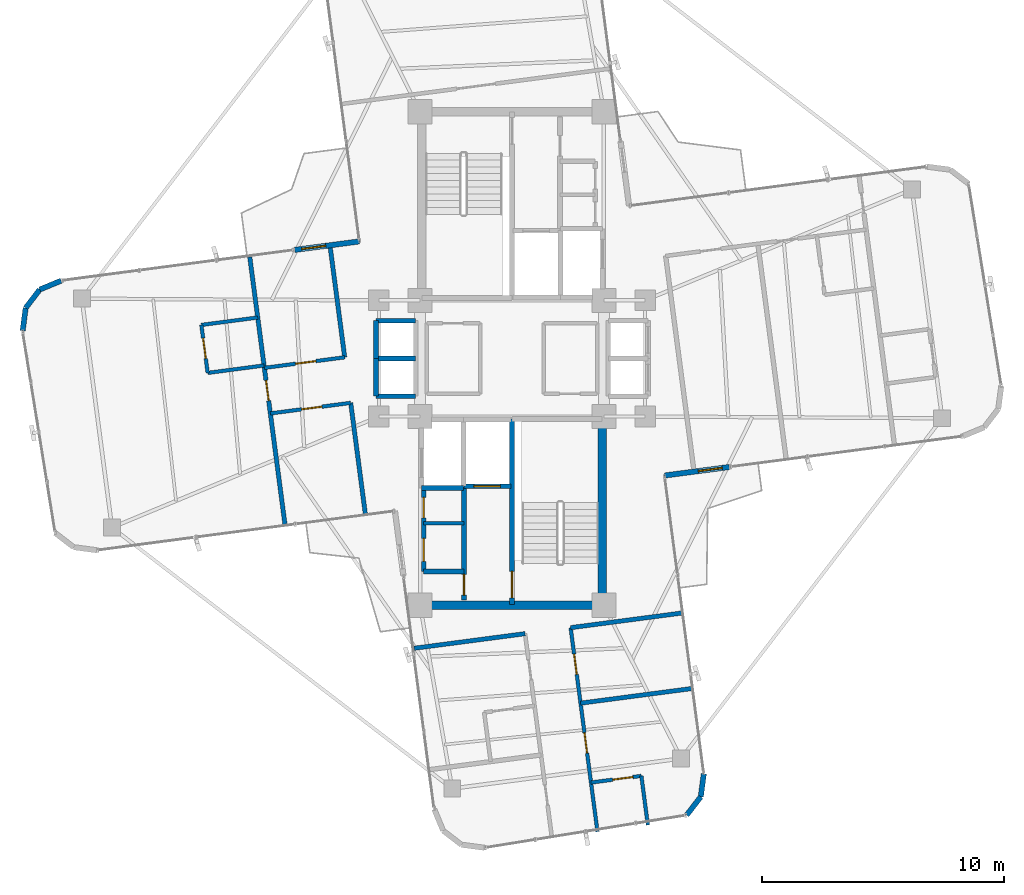
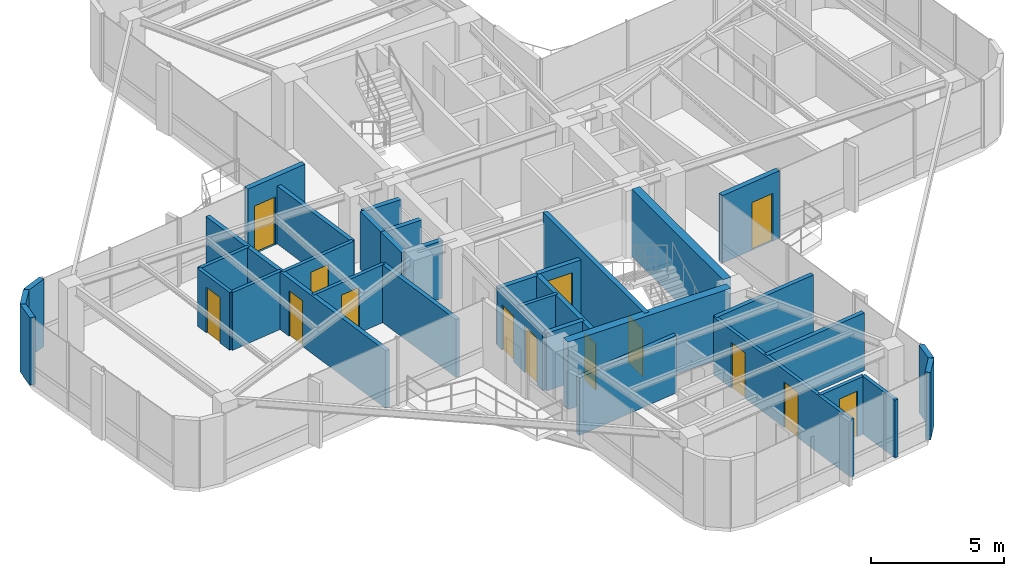
# One storey, part 19 of 22: 35 walls, 14 doors, 14 openings.
"""IFC4 building model written with IfcOpenShell, lengths in metres."""

from ifc_helpers import new_model, si_unit, direction, frame, frame_2d, origin, origin_2d, place, context, subcontext, project, spatial, rectangle, extrude, source, transform, mapped, material, layer, layer_set, type_object, element, fill, save


model = new_model("IFC4")

# Units and contexts
model_context = context("Model", 3, precision=1e-05, world=origin(), true_north=direction((0.0, 1.0)))
body_context = subcontext(model_context, "Body", "Model", "MODEL_VIEW")
ifc_project = project(units=[si_unit("LENGTHUNIT", "METRE"), si_unit("AREAUNIT", "SQUARE_METRE"), si_unit("VOLUMEUNIT", "CUBIC_METRE"), si_unit("PLANEANGLEUNIT", "RADIAN"), si_unit("MASSUNIT", "GRAM", prefix="KILO")], contexts=[model_context])

# Site, building, storey
site_placement = place(None, origin())
site = spatial("IfcSite", under=ifc_project, at=site_placement, CompositionType="ELEMENT")
building_placement = place(site_placement, origin())
building = spatial("IfcBuilding", under=site, at=building_placement, Name="Sahyath Konkavel Grand Hotel", CompositionType="ELEMENT")
storey_placement = place(building_placement, frame((0.0, 0.0, 241.14990234375)))
storey = spatial("IfcBuildingStorey", under=building, at=storey_placement, Name="L67", CompositionType="ELEMENT", Elevation=241.14990234375)

# Walls
ifc_material_1 = material(Name="Concrete C40/50", Category="concrete")
ifc_layer_1 = layer(ifc_material_1, 0.35009765625)
ifc_layer_set_1 = layer_set([ifc_layer_1], Name="Concrete C40/50")
wall_type_1 = type_object("IfcWallType", Name="CWALL-350", PredefinedType="SHEAR", material=ifc_layer_set_1)
wall_1_placement = place(storey_placement, frame((-3.550048828125, -10.199951171875, 0.0), z_axis=(0.0, 0.0, 1.0), x_axis=(1.0, 0.0, 0.0)))
element("IfcWall", 1, at=wall_1_placement, inside=storey, type_object=wall_type_1, Name="L67 South Core Shear Wall S", PredefinedType="SHEAR", context=body_context, shape_type="SweptSolid", body=[
    extrude(rectangle(XDim=7.10009765625, YDim=0.35009765625, at=frame_2d((3.550048828125, 0.0))), origin(), (0.0, 0.0, 1.0), 3.110107421875),
])
wall_2_placement = place(storey_placement, frame((3.739990234375, -9.75, 0.0), z_axis=(0.0, 0.0, 1.0), x_axis=(0.0, 1.0, 0.0)))
element("IfcWall", 2, at=wall_2_placement, inside=storey, type_object=wall_type_1, Name="L67 South Core Shear Wall E", PredefinedType="SHEAR", context=body_context, shape_type="SweptSolid", body=[
    extrude(rectangle(XDim=6.89990234375, YDim=0.35009765625, at=frame_2d((3.449951171875, 0.0))), origin(), (0.0, 0.0, 1.0), 3.110107421875),
])

# Wall, opening, door
ifc_material_2 = material(Name="Warm Buff Sandstone Insulated Concrete C40/50", Category="masonry")
ifc_layer_2 = layer(ifc_material_2, 0.219970703125)
ifc_layer_set_2 = layer_set([ifc_layer_2], Name="Warm Buff Sandstone Insulated Concrete C40/50")
wall_type_2 = type_object("IfcWallType", Name="WLL-BALC-THRESH", PredefinedType="STANDARD", material=ifc_layer_set_2)
wall_3_placement = place(storey_placement, frame((6.306640625, -4.839111328125, 0.0), z_axis=(0.0, 0.0, 1.0), x_axis=(0.991449985986, 0.130487261016, 0.0)))
wall_3 = element("IfcWall", 3, at=wall_3_placement, inside=storey, type_object=wall_type_2, Name="L67 Winter-Garden Threshold Wall 0", PredefinedType="STANDARD", context=body_context, shape_type="SweptSolid", body=[
    extrude(rectangle(XDim=2.699951171875, YDim=0.219970703125, at=frame_2d((1.35009765625, 0.0))), origin(), (0.0, 0.0, 1.0), 3.110107421875),
])
opening_1_placement = place(wall_3_placement, frame((1.39990234375, 0.0, 0.0)))
opening_1 = element("IfcOpeningElement", 4, at=opening_1_placement, cuts=wall_3, Name="Opening D-TR1", PredefinedType="OPENING", context=body_context, shape_type="SweptSolid", body=[
    extrude(rectangle(XDim=1.0, YDim=2.199951171875, at=frame_2d((0.5, 1.10009765625))), frame((0.0, 0.1201171875, 0.0), z_axis=(0.0, -1.0, 0.0), x_axis=(1.0, 0.0, 0.0)), (0.0, 0.0, 1.0), 0.239990234375),
])
ifc_material_3 = material(Name="Anodised Bronze Aluminium & Low-E Glazing", Category="aluminium")
door_type_1 = type_object("IfcDoorType", Name="DR-TERRACE-1000", OperationType="NOTDEFINED", PredefinedType="DOOR", material=ifc_material_3)
shared_shape_1 = source(origin(), body_context, "Body", "SweptSolid", [
    extrude(rectangle(XDim=1.0, YDim=0.050048828125, at=origin_2d()), origin(), (0.0, 0.0, 1.0), 2.199951171875),
])
door_1_placement = place(opening_1_placement, frame((0.5, 0.0, 0.0)))
door_1 = element("IfcDoor", 5, at=door_1_placement, inside=storey, type_object=door_type_1, Name="L67 Winter-Garden Terrace Door 0", OperationType="SINGLE_SWING_LEFT", OverallHeight=2.199951171875, OverallWidth=1.0, PredefinedType="DOOR", context=body_context, shape_type="MappedRepresentation", body=[
    mapped(shared_shape_1, transform((0.0, 0.0, 0.0), scale=1.0)),
])
fill(opening_1, door_1)

wall_4_placement = place(storey_placement, frame((-6.306640625, 4.839111328125, 0.0), z_axis=(0.0, 0.0, 1.0), x_axis=(-0.991449985986, -0.130487261016, 0.0)))
wall_4 = element("IfcWall", 6, at=wall_4_placement, inside=storey, type_object=wall_type_2, Name="L67 Winter-Garden Threshold Wall 16", PredefinedType="STANDARD", context=body_context, shape_type="SweptSolid", body=[
    extrude(rectangle(XDim=2.699951171875, YDim=0.219970703125, at=frame_2d((1.35009765625, 0.0))), origin(), (0.0, 0.0, 1.0), 3.110107421875),
])
opening_2_placement = place(wall_4_placement, frame((1.39990234375, 0.0, 0.0)))
opening_2 = element("IfcOpeningElement", 7, at=opening_2_placement, cuts=wall_4, Name="Opening D-TR1", PredefinedType="OPENING", context=body_context, shape_type="SweptSolid", body=[
    extrude(rectangle(XDim=1.0, YDim=2.199951171875, at=frame_2d((0.5, 1.10009765625))), frame((0.0, 0.1201171875, 0.0), z_axis=(0.0, -1.0, 0.0), x_axis=(1.0, 0.0, 0.0)), (0.0, 0.0, 1.0), 0.239990234375),
])
door_2_placement = place(opening_2_placement, frame((0.5, 0.0, 0.0)))
door_2 = element("IfcDoor", 8, at=door_2_placement, inside=storey, type_object=door_type_1, Name="L67 Winter-Garden Terrace Door 16", OperationType="SINGLE_SWING_LEFT", OverallHeight=2.199951171875, OverallWidth=1.0, PredefinedType="DOOR", context=body_context, shape_type="MappedRepresentation", body=[
    mapped(shared_shape_1, transform((0.0, 0.0, 0.0), scale=1.0)),
])
fill(opening_2, door_2)

# Walls
for number, where, z_axis, x_axis, name in (
    (9, (-18.63623046875, 3.216064453125, 0.0), (0.0, 0.0, 1.0), (-0.923889442397, -0.382659506909, 0.0), "L67 Rounded Corner Sandstone Pier 17"),
    (10, (-19.52099609375, 2.849609375, 0.0), (0.0, 0.0, 1.0), (-0.608774010809, -0.793343685778, 0.0), "L67 Rounded Corner Sandstone Pier 18"),
    (11, (-20.10400390625, 2.08984375, 0.0), (0.0, 0.0, 1.0), (-0.130527053476, -0.991444747987, 0.0), "L67 Rounded Corner Sandstone Pier 19"),
):
    element("IfcWall", number, at=place(storey_placement, frame(where, z_axis=z_axis, x_axis=x_axis)), inside=storey, type_object=wall_type_2, Name=name, PredefinedType="STANDARD", context=body_context, shape_type="SweptSolid", body=[
        extrude(rectangle(XDim=0.957763671875, YDim=0.219970703125, at=frame_2d((0.47900390625, 0.0))), origin(), (0.0, 0.0, 1.0), 3.110107421875),
    ])
wall_5_placement = place(storey_placement, frame((7.221923828125, -18.8779296875, 0.0), z_axis=(0.0, 0.0, 1.0), x_axis=(0.608736668033, 0.793372339443, 0.0)))
element("IfcWall", 12, at=wall_5_placement, inside=storey, type_object=wall_type_2, Name="L67 Rounded Corner Sandstone Pier 29", PredefinedType="STANDARD", context=body_context, shape_type="SweptSolid", body=[
    extrude(rectangle(XDim=0.957275390625, YDim=0.219970703125, at=frame_2d((0.478515625, 0.0))), origin(), (0.0, 0.0, 1.0), 3.110107421875),
])
wall_6_placement = place(storey_placement, frame((7.8046875, -18.118408203125, 0.0), z_axis=(0.0, 0.0, 1.0), x_axis=(0.130494070426, 0.991449089759, 0.0)))
element("IfcWall", 13, at=wall_6_placement, inside=storey, type_object=wall_type_2, Name="L67 Rounded Corner Sandstone Pier 30", PredefinedType="STANDARD", context=body_context, shape_type="SweptSolid", body=[
    extrude(rectangle(XDim=0.9580078125, YDim=0.219970703125, at=frame_2d((0.47900390625, 0.0))), origin(), (0.0, 0.0, 1.0), 3.110107421875),
])

# Wall, opening, door
ifc_layer_3 = layer(ifc_material_1, 0.199951171875)
ifc_layer_set_3 = layer_set([ifc_layer_3], Name="Concrete C40/50")
wall_type_3 = type_object("IfcWallType", Name="WLL-CORE-200", PredefinedType="SOLIDWALL", material=ifc_layer_set_3)
wall_7_placement = place(storey_placement, frame((0.0, -10.179931640625, 0.0), z_axis=(0.0, 0.0, 1.0), x_axis=(0.0, 1.0, 0.0)))
wall_7 = element("IfcWall", 14, at=wall_7_placement, inside=storey, type_object=wall_type_3, Name="L67 Stair ST-2 Shaft Wall W", PredefinedType="SOLIDWALL", context=body_context, shape_type="SweptSolid", body=[
    extrude(rectangle(XDim=7.679931640625, YDim=0.199951171875, at=frame_2d((3.83984375, 0.0))), origin(), (0.0, 0.0, 1.0), 3.110107421875),
])
opening_3_placement = place(wall_7_placement, frame((0.280029296875, 0.0, 0.0)))
opening_3 = element("IfcOpeningElement", 15, at=opening_3_placement, cuts=wall_7, Name="Opening D-F12B", PredefinedType="OPENING", context=body_context, shape_type="SweptSolid", body=[
    extrude(rectangle(XDim=1.10009765625, YDim=2.14990234375, at=frame_2d((0.550048828125, 1.074951171875))), frame((0.0, 0.10986328125, 0.0), z_axis=(0.0, -1.0, 0.0), x_axis=(1.0, 0.0, 0.0)), (0.0, 0.0, 1.0), 0.219970703125),
])
ifc_material_4 = material(Name="Steel E350 Smokeproof Fire Door", Category="steel")
door_type_2 = type_object("IfcDoorType", Name="DR-FD120-1100", OperationType="NOTDEFINED", PredefinedType="DOOR", material=ifc_material_4)
shared_shape_2 = source(origin(), body_context, "Body", "SweptSolid", [
    extrude(rectangle(XDim=1.10009765625, YDim=0.050048828125, at=origin_2d()), origin(), (0.0, 0.0, 1.0), 2.14990234375),
])
door_3_placement = place(opening_3_placement, frame((0.550048828125, 0.0, 0.0)))
door_3 = element("IfcDoor", 16, at=door_3_placement, inside=storey, type_object=door_type_2, Name="L67 Stair ST-2 Fire Door", OperationType="SINGLE_SWING_RIGHT", OverallHeight=2.14990234375, OverallWidth=1.10009765625, PredefinedType="DOOR", context=body_context, shape_type="MappedRepresentation", body=[
    mapped(shared_shape_2, transform((0.0, 0.0, 0.0), scale=1.0)),
])
fill(opening_3, door_3)

wall_8_placement = place(storey_placement, frame((-1.97998046875, -9.97998046875, 0.0), z_axis=(0.0, 0.0, 1.0), x_axis=(0.0, 1.0, 0.0)))
wall_8 = element("IfcWall", 17, at=wall_8_placement, inside=storey, type_object=wall_type_3, Name="L67 South Firefighting Lobby Wall W", PredefinedType="SOLIDWALL", context=body_context, shape_type="SweptSolid", body=[
    extrude(rectangle(XDim=4.659912109375, YDim=0.199951171875, at=frame_2d((2.330078125, 0.0))), origin(), (0.0, 0.0, 1.0), 2.66015625),
])
opening_4_placement = place(wall_8_placement, frame((0.199951171875, 0.0, 0.0)))
opening_4 = element("IfcOpeningElement", 18, at=opening_4_placement, cuts=wall_8, Name="Opening D-F12D", PredefinedType="OPENING", context=body_context, shape_type="SweptSolid", body=[
    extrude(rectangle(XDim=0.85009765625, YDim=2.10009765625, at=frame_2d((0.425048828125, 1.050048828125))), frame((0.0, 0.10986328125, 0.0), z_axis=(0.0, -1.0, 0.0), x_axis=(1.0, 0.0, 0.0)), (0.0, 0.0, 1.0), 0.219970703125),
])
ifc_material_5 = material(Name="Steel E350 Core Fire Door", Category="steel")
door_type_3 = type_object("IfcDoorType", Name="DR-FD120-850", OperationType="NOTDEFINED", PredefinedType="DOOR", material=ifc_material_5)
shared_shape_3 = source(origin(), body_context, "Body", "SweptSolid", [
    extrude(rectangle(XDim=0.85009765625, YDim=0.050048828125, at=origin_2d()), origin(), (0.0, 0.0, 1.0), 2.10009765625),
])
door_4_placement = place(opening_4_placement, frame((0.425048828125, 0.0, 0.0)))
door_4 = element("IfcDoor", 19, at=door_4_placement, inside=storey, type_object=door_type_3, Name="L67 South Firefighting Lobby Door", OperationType="SINGLE_SWING_RIGHT", OverallHeight=2.10009765625, OverallWidth=0.85009765625, PredefinedType="DOOR", context=body_context, shape_type="MappedRepresentation", body=[
    mapped(shared_shape_3, transform((0.0, 0.0, 0.0), scale=1.0)),
])
fill(opening_4, door_4)

wall_9_placement = place(storey_placement, frame((-1.97998046875, -5.280029296875, 0.0), z_axis=(0.0, 0.0, 1.0), x_axis=(1.0, 0.0, 0.0)))
wall_9 = element("IfcWall", 20, at=wall_9_placement, inside=storey, type_object=wall_type_3, Name="L67 Partition SH-FFL2-S", PredefinedType="SOLIDWALL", context=body_context, shape_type="SweptSolid", body=[
    extrude(rectangle(XDim=1.929931640625, YDim=0.199951171875, at=frame_2d((0.96484375, 0.0))), origin(), (0.0, 0.0, 1.0), 2.66015625),
])
opening_5_placement = place(wall_9_placement, frame((0.39990234375, 0.0, 0.0)))
opening_5 = element("IfcOpeningElement", 21, at=opening_5_placement, cuts=wall_9, Name="Opening LD-11", PredefinedType="OPENING", context=body_context, shape_type="SweptSolid", body=[
    extrude(rectangle(XDim=1.10009765625, YDim=2.199951171875, at=frame_2d((0.550048828125, 1.10009765625))), frame((0.0, 0.10986328125, 0.0), z_axis=(0.0, -1.0, 0.0), x_axis=(1.0, 0.0, 0.0)), (0.0, 0.0, 1.0), 0.219970703125),
])
ifc_material_6 = material(Name="Bronze Lift Landing Door 1100")
door_type_4 = type_object("IfcDoorType", Name="DR-LIFT-1100", OperationType="DOUBLE_DOOR_SLIDING", PredefinedType="DOOR", material=ifc_material_6)
shared_shape_4 = source(origin(), body_context, "Body", "SweptSolid", [
    extrude(rectangle(XDim=1.10009765625, YDim=0.050048828125, at=origin_2d()), origin(), (0.0, 0.0, 1.0), 2.199951171875),
])
door_5_placement = place(opening_5_placement, frame((0.550048828125, 0.0, 0.0)))
door_5 = element("IfcDoor", 22, at=door_5_placement, inside=storey, type_object=door_type_4, Name="L67 Lift FFL-2 Landing Door", OperationType="DOUBLE_DOOR_SLIDING", OverallHeight=2.199951171875, OverallWidth=1.10009765625, PredefinedType="DOOR", context=body_context, shape_type="MappedRepresentation", body=[
    mapped(shared_shape_4, transform((0.0, 0.0, 0.0), scale=1.0)),
])
fill(opening_5, door_5)

# Walls
wall_10_placement = place(storey_placement, frame((-3.739990234375, -5.360107421875, 0.0), z_axis=(0.0, 0.0, 1.0), x_axis=(1.0, 0.0, 0.0)))
element("IfcWall", 23, at=wall_10_placement, inside=storey, type_object=wall_type_3, Name="L67 Partition SH-SVL2-S", PredefinedType="SOLIDWALL", context=body_context, shape_type="SweptSolid", body=[
    extrude(rectangle(XDim=1.739990234375, YDim=0.199951171875, at=frame_2d((0.8701171875, 0.0))), origin(), (0.0, 0.0, 1.0), 2.66015625),
])
for number, where, z_axis, x_axis, name in (
    (24, (-5.6201171875, 1.56005859375, 0.0), (0.0, 0.0, 1.0), (1.0, 0.0, 0.0), "L67 Partition SH-SL12-N"),
    (25, (-5.6201171875, -1.56005859375, 0.0), (0.0, 0.0, 1.0), (1.0, 0.0, 0.0), "L67 Partition SH-SL12-S"),
    (26, (-5.6201171875, 0.0, 0.0), (0.0, 0.0, 1.0), (1.0, 0.0, 0.0), "L67 Partition SH-SL12-M"),
):
    element("IfcWall", number, at=place(storey_placement, frame(where, z_axis=z_axis, x_axis=x_axis)), inside=storey, type_object=wall_type_3, Name=name, PredefinedType="SOLIDWALL", context=body_context, shape_type="SweptSolid", body=[
        extrude(rectangle(XDim=1.64013671875, YDim=0.199951171875, at=frame_2d((0.820068359375, 0.0))), origin(), (0.0, 0.0, 1.0), 2.66015625),
    ])
for number, where, z_axis, x_axis, name in (
    (27, (-5.6201171875, 0.0, 0.0), (0.0, 0.0, 1.0), (0.0, 1.0, 0.0), "L67 Partition SH-SL1-W"),
    (28, (-5.6201171875, -1.56005859375, 0.0), (0.0, 0.0, 1.0), (0.0, 1.0, 0.0), "L67 Partition SH-SL2-W"),
):
    element("IfcWall", number, at=place(storey_placement, frame(where, z_axis=z_axis, x_axis=x_axis)), inside=storey, type_object=wall_type_3, Name=name, PredefinedType="SOLIDWALL", context=body_context, shape_type="SweptSolid", body=[
        extrude(rectangle(XDim=1.56005859375, YDim=0.199951171875, at=frame_2d((0.780029296875, 0.0))), origin(), (0.0, 0.0, 1.0), 2.66015625),
    ])

# Wall, openings, doors
wall_11_placement = place(storey_placement, frame((-3.64990234375, -8.81005859375, 0.0), z_axis=(0.0, 0.0, 1.0), x_axis=(0.0, 1.0, 0.0)))
wall_11 = element("IfcWall", 29, at=wall_11_placement, inside=storey, type_object=wall_type_3, Name="L67 Reclaimed South Core Wall W", PredefinedType="SOLIDWALL", context=body_context, shape_type="SweptSolid", body=[
    extrude(rectangle(XDim=3.43017578125, YDim=0.199951171875, at=frame_2d((1.715087890625, 0.0))), origin(), (0.0, 0.0, 1.0), 2.66015625),
])
opening_6_placement = place(wall_11_placement, frame((0.419921875, 0.0, 0.0)))
opening_6 = element("IfcOpeningElement", 30, at=opening_6_placement, cuts=wall_11, Name="Opening D-AC95", PredefinedType="OPENING", context=body_context, shape_type="SweptSolid", body=[
    extrude(rectangle(XDim=0.949951171875, YDim=2.14990234375, at=frame_2d((0.47509765625, 1.074951171875))), frame((0.0, 0.10986328125, 0.0), z_axis=(0.0, -1.0, 0.0), x_axis=(1.0, 0.0, 0.0)), (0.0, 0.0, 1.0), 0.219970703125),
])
opening_7_placement = place(wall_11_placement, frame((2.219970703125, 0.0, 0.0)))
opening_7 = element("IfcOpeningElement", 31, at=opening_7_placement, cuts=wall_11, Name="Opening D-F06D", PredefinedType="OPENING", context=body_context, shape_type="SweptSolid", body=[
    extrude(rectangle(XDim=0.85009765625, YDim=2.10009765625, at=frame_2d((0.425048828125, 1.050048828125))), frame((0.0, 0.10986328125, 0.0), z_axis=(0.0, -1.0, 0.0), x_axis=(1.0, 0.0, 0.0)), (0.0, 0.0, 1.0), 0.219970703125),
])
ifc_material_7 = material(Name="Accessible Washroom Timber Door", Category="wood")
door_type_5 = type_object("IfcDoorType", Name="DR-ACC-950", OperationType="NOTDEFINED", PredefinedType="DOOR", material=ifc_material_7)
shared_shape_5 = source(origin(), body_context, "Body", "SweptSolid", [
    extrude(rectangle(XDim=0.949951171875, YDim=0.050048828125, at=origin_2d()), origin(), (0.0, 0.0, 1.0), 2.14990234375),
])
door_6_placement = place(opening_6_placement, frame((0.47509765625, 0.0, 0.0)))
door_6 = element("IfcDoor", 32, at=door_6_placement, inside=storey, type_object=door_type_5, Name="L67 Door SC-REC1-D", OperationType="SINGLE_SWING_LEFT", OverallHeight=2.14990234375, OverallWidth=0.949951171875, PredefinedType="DOOR", context=body_context, shape_type="MappedRepresentation", body=[
    mapped(shared_shape_5, transform((0.0, 0.0, 0.0), scale=1.0)),
])
fill(opening_6, door_6)
ifc_material_8 = material(Name="Fire-Rated Shaft Access Door")
door_type_6 = type_object("IfcDoorType", Name="DR-FD60-850", OperationType="NOTDEFINED", PredefinedType="DOOR", material=ifc_material_8)
door_7_placement = place(opening_7_placement, frame((0.425048828125, 0.0, 0.0)))
door_7 = element("IfcDoor", 33, at=door_7_placement, inside=storey, type_object=door_type_6, Name="L67 Door SC-REC2-D", OperationType="SINGLE_SWING_RIGHT", OverallHeight=2.10009765625, OverallWidth=0.85009765625, PredefinedType="DOOR", context=body_context, shape_type="MappedRepresentation", body=[
    mapped(shared_shape_3, transform((0.0, 0.0, 0.0), scale=1.0)),
])
fill(opening_7, door_7)

# Walls
wall_12_placement = place(storey_placement, frame((-3.64990234375, -8.81005859375, 0.0), z_axis=(0.0, 0.0, 1.0), x_axis=(1.0, 0.0, 0.0)))
element("IfcWall", 34, at=wall_12_placement, inside=storey, type_object=wall_type_3, Name="L67 Partition SC-REC-S", PredefinedType="SOLIDWALL", context=body_context, shape_type="SweptSolid", body=[
    extrude(rectangle(XDim=1.669921875, YDim=0.199951171875, at=frame_2d((0.8349609375, 0.0))), origin(), (0.0, 0.0, 1.0), 2.66015625),
])
ifc_material_9 = material(Name="Twin-Stud Acoustic Gypsum Plasterboard Partition")
ifc_layer_4 = layer(ifc_material_9, 0.179931640625)
ifc_layer_set_4 = layer_set([ifc_layer_4], Name="Twin-Stud Acoustic Gypsum Plasterboard Partition")
wall_type_4 = type_object("IfcWallType", Name="WLL-DEMISE-180", PredefinedType="PARTITIONING", material=ifc_layer_set_4)
wall_13_placement = place(storey_placement, frame((-6.66748046875, -1.8359375, 0.0), z_axis=(0.0, 0.0, 1.0), x_axis=(0.130547444225, -0.991442063263, 0.0)))
element("IfcWall", 35, at=wall_13_placement, inside=storey, type_object=wall_type_4, Name="L67 Partition W-INL", PredefinedType="PARTITIONING", context=body_context, shape_type="SweptSolid", body=[
    extrude(rectangle(XDim=4.62109375, YDim=0.179931640625, at=frame_2d((2.310546875, 0.0))), origin(), (0.0, 0.0, 1.0), 2.66015625),
])
wall_14_placement = place(storey_placement, frame((-7.5185546875, 4.629150390625, 0.0), z_axis=(0.0, 0.0, 1.0), x_axis=(0.130554282615, -0.991441162798, 0.0)))
element("IfcWall", 36, at=wall_14_placement, inside=storey, type_object=wall_type_4, Name="L67 Partition W-INR", PredefinedType="PARTITIONING", context=body_context, shape_type="SweptSolid", body=[
    extrude(rectangle(XDim=4.620849609375, YDim=0.179931640625, at=frame_2d((2.310546875, 0.0))), origin(), (0.0, 0.0, 1.0), 2.66015625),
])

# Wall, opening, door
wall_15_placement = place(storey_placement, frame((-10.83984375, 4.19189453125, 0.0), z_axis=(0.0, 0.0, 1.0), x_axis=(0.130528764816, -0.991444522682, 0.0)))
wall_15 = element("IfcWall", 37, at=wall_15_placement, inside=storey, type_object=wall_type_4, Name="L67 Partition W-WTIP-END", PredefinedType="PARTITIONING", context=body_context, shape_type="SweptSolid", body=[
    extrude(rectangle(XDim=11.141845703125, YDim=0.179931640625, at=frame_2d((5.57080078125, 0.0))), origin(), (0.0, 0.0, 1.0), 2.66015625),
])
opening_8_placement = place(wall_15_placement, frame((5.14599609375, 0.0, 0.0)))
opening_8 = element("IfcOpeningElement", 38, at=opening_8_placement, cuts=wall_15, Name="Opening D-F06D", PredefinedType="OPENING", context=body_context, shape_type="SweptSolid", body=[
    extrude(rectangle(XDim=0.85009765625, YDim=2.10009765625, at=frame_2d((0.425048828125, 1.050048828125))), frame((0.0, 0.10009765625, 0.0), z_axis=(0.0, -1.0, 0.0), x_axis=(1.0, 0.0, 0.0)), (0.0, 0.0, 1.0), 0.199951171875),
])
door_8_placement = place(opening_8_placement, frame((0.425048828125, 0.0, 0.0)))
door_8 = element("IfcDoor", 39, at=door_8_placement, inside=storey, type_object=door_type_6, Name="L67 Door W-WTIP-ED", OperationType="SINGLE_SWING_LEFT", OverallHeight=2.10009765625, OverallWidth=0.85009765625, PredefinedType="DOOR", context=body_context, shape_type="MappedRepresentation", body=[
    mapped(shared_shape_3, transform((0.0, 0.0, 0.0), scale=1.0)),
])
fill(opening_8, door_8)

# Walls
for number, where, z_axis, x_axis, name in (
    (40, (2.42333984375, -11.12890625, 0.0), (0.0, 0.0, 1.0), (0.991442063263, 0.130547444225, 0.0), "L67 Partition S-INL"),
    (41, (-4.0419921875, -11.97998046875, 0.0), (0.0, 0.0, 1.0), (0.991448899985, 0.130495512254, 0.0), "L67 Partition S-INR"),
    (42, (2.834228515625, -14.25, 0.0), (0.0, 0.0, 1.0), (0.991442063263, 0.130547444225, 0.0), "L67 Partition S-S1L-DEM"),
):
    element("IfcWall", number, at=place(storey_placement, frame(where, z_axis=z_axis, x_axis=x_axis)), inside=storey, type_object=wall_type_4, Name=name, PredefinedType="PARTITIONING", context=body_context, shape_type="SweptSolid", body=[
        extrude(rectangle(XDim=4.62109375, YDim=0.179931640625, at=frame_2d((2.310546875, 0.0))), origin(), (0.0, 0.0, 1.0), 2.66015625),
    ])
ifc_material_10 = material(Name="Fire-Rated Gypsum Plasterboard Partition")
ifc_layer_5 = layer(ifc_material_10, 0.14990234375)
ifc_layer_set_5 = layer_set([ifc_layer_5], Name="Fire-Rated Gypsum Plasterboard Partition")
wall_type_5 = type_object("IfcWallType", Name="WLL-PART-150", PredefinedType="PARTITIONING", material=ifc_layer_set_5)
wall_16_placement = place(storey_placement, frame((-3.64990234375, -6.81005859375, 0.0), z_axis=(0.0, 0.0, 1.0), x_axis=(1.0, 0.0, 0.0)))
element("IfcWall", 43, at=wall_16_placement, inside=storey, type_object=wall_type_5, Name="L67 Partition SC-REC-M1", PredefinedType="PARTITIONING", context=body_context, shape_type="SweptSolid", body=[
    extrude(rectangle(XDim=1.669921875, YDim=0.14990234375, at=frame_2d((0.8349609375, 0.0))), origin(), (0.0, 0.0, 1.0), 2.66015625),
])

# Wall, opening, door
wall_17_placement = place(storey_placement, frame((-6.66748046875, -1.8359375, 0.0), z_axis=(0.0, 0.0, 1.0), x_axis=(-0.991444866817, -0.130526150873, 0.0)))
wall_17 = element("IfcWall", 44, at=wall_17_placement, inside=storey, type_object=wall_type_5, Name="L67 Partition W-CL", PredefinedType="PARTITIONING", context=body_context, shape_type="SweptSolid", body=[
    extrude(rectangle(XDim=3.349853515625, YDim=0.14990234375, at=frame_2d((1.6748046875, 0.0))), origin(), (0.0, 0.0, 1.0), 2.66015625),
])
opening_9_placement = place(wall_17_placement, frame((1.199951171875, 0.0, 0.0)))
opening_9 = element("IfcOpeningElement", 45, at=opening_9_placement, cuts=wall_17, Name="Opening D-F06D", PredefinedType="OPENING", context=body_context, shape_type="SweptSolid", body=[
    extrude(rectangle(XDim=0.85009765625, YDim=2.10009765625, at=frame_2d((0.425048828125, 1.050048828125))), frame((0.0, 0.0849609375, 0.0), z_axis=(0.0, -1.0, 0.0), x_axis=(1.0, 0.0, 0.0)), (0.0, 0.0, 1.0), 0.169921875),
])
door_9_placement = place(opening_9_placement, frame((0.425048828125, 0.0, 0.0)))
door_9 = element("IfcDoor", 46, at=door_9_placement, inside=storey, type_object=door_type_6, Name="L67 Door W-WS3L-D", OperationType="SINGLE_SWING_RIGHT", OverallHeight=2.10009765625, OverallWidth=0.85009765625, PredefinedType="DOOR", context=body_context, shape_type="MappedRepresentation", body=[
    mapped(shared_shape_3, transform((0.0, 0.0, 0.0), scale=1.0)),
])
fill(opening_9, door_9)

wall_18_placement = place(storey_placement, frame((-6.915283203125, 0.0478515625, 0.0), z_axis=(0.0, 0.0, 1.0), x_axis=(-0.991446108327, -0.130516720324, 0.0)))
wall_18 = element("IfcWall", 47, at=wall_18_placement, inside=storey, type_object=wall_type_5, Name="L67 Partition W-CR", PredefinedType="PARTITIONING", context=body_context, shape_type="SweptSolid", body=[
    extrude(rectangle(XDim=3.35009765625, YDim=0.14990234375, at=frame_2d((1.675048828125, 0.0))), origin(), (0.0, 0.0, 1.0), 2.66015625),
])
opening_10_placement = place(wall_18_placement, frame((1.199951171875, 0.0, 0.0)))
opening_10 = element("IfcOpeningElement", 48, at=opening_10_placement, cuts=wall_18, Name="Opening D-F06D", PredefinedType="OPENING", context=body_context, shape_type="SweptSolid", body=[
    extrude(rectangle(XDim=0.85009765625, YDim=2.10009765625, at=frame_2d((0.425048828125, 1.050048828125))), frame((0.0, 0.0849609375, 0.0), z_axis=(0.0, -1.0, 0.0), x_axis=(1.0, 0.0, 0.0)), (0.0, 0.0, 1.0), 0.169921875),
])
door_10_placement = place(opening_10_placement, frame((0.425048828125, 0.0, 0.0)))
door_10 = element("IfcDoor", 49, at=door_10_placement, inside=storey, type_object=door_type_6, Name="L67 Door W-WS3R-D", OperationType="SINGLE_SWING_LEFT", OverallHeight=2.10009765625, OverallWidth=0.85009765625, PredefinedType="DOOR", context=body_context, shape_type="MappedRepresentation", body=[
    mapped(shared_shape_3, transform((0.0, 0.0, 0.0), scale=1.0)),
])
fill(opening_10, door_10)

# Walls
wall_19_placement = place(storey_placement, frame((-10.249755859375, -0.290283203125, 0.0), z_axis=(0.0, 0.0, 1.0), x_axis=(-0.991436251812, -0.130591571678, 0.0)))
element("IfcWall", 50, at=wall_19_placement, inside=storey, type_object=wall_type_5, Name="L67 Partition W-WTIP-BN", PredefinedType="PARTITIONING", context=body_context, shape_type="SweptSolid", body=[
    extrude(rectangle(XDim=2.349853515625, YDim=0.14990234375, at=frame_2d((1.1748046875, 0.0))), origin(), (0.0, 0.0, 1.0), 2.66015625),
])
wall_20_placement = place(storey_placement, frame((-10.5107421875, 1.6923828125, 0.0), z_axis=(0.0, 0.0, 1.0), x_axis=(-0.991451466659, -0.130476010281, 0.0)))
element("IfcWall", 51, at=wall_20_placement, inside=storey, type_object=wall_type_5, Name="L67 Partition W-WTIP-BS", PredefinedType="PARTITIONING", context=body_context, shape_type="SweptSolid", body=[
    extrude(rectangle(XDim=2.35009765625, YDim=0.14990234375, at=frame_2d((1.175048828125, 0.0))), origin(), (0.0, 0.0, 1.0), 2.66015625),
])

# Wall, opening, door
wall_21_placement = place(storey_placement, frame((-12.8408203125, 1.3857421875, 0.0), z_axis=(0.0, 0.0, 1.0), x_axis=(0.130612392842, -0.991433509034, 0.0)))
wall_21 = element("IfcWall", 52, at=wall_21_placement, inside=storey, type_object=wall_type_5, Name="L67 Partition W-WTIP-BE", PredefinedType="PARTITIONING", context=body_context, shape_type="SweptSolid", body=[
    extrude(rectangle(XDim=2.0, YDim=0.14990234375, at=frame_2d((1.0, 0.0))), origin(), (0.0, 0.0, 1.0), 2.66015625),
])
opening_11_placement = place(wall_21_placement, frame((0.550048828125, 0.0, 0.0)))
opening_11 = element("IfcOpeningElement", 53, at=opening_11_placement, cuts=wall_21, Name="Opening D-BT85", PredefinedType="OPENING", context=body_context, shape_type="SweptSolid", body=[
    extrude(rectangle(XDim=0.85009765625, YDim=2.10009765625, at=frame_2d((0.425048828125, 1.050048828125))), frame((0.0, 0.0849609375, 0.0), z_axis=(0.0, -1.0, 0.0), x_axis=(1.0, 0.0, 0.0)), (0.0, 0.0, 1.0), 0.169921875),
])
ifc_material_11 = material(Name="Moisture-Resistant Teak Bathroom Door")
door_type_7 = type_object("IfcDoorType", Name="DR-BATH-850", OperationType="NOTDEFINED", PredefinedType="DOOR", material=ifc_material_11)
door_11_placement = place(opening_11_placement, frame((0.425048828125, 0.0, 0.0)))
door_11 = element("IfcDoor", 54, at=door_11_placement, inside=storey, type_object=door_type_7, Name="L67 Door W-WTIP-BD", OperationType="SINGLE_SWING_RIGHT", OverallHeight=2.10009765625, OverallWidth=0.85009765625, PredefinedType="DOOR", context=body_context, shape_type="MappedRepresentation", body=[
    mapped(shared_shape_3, transform((0.0, 0.0, 0.0), scale=1.0)),
])
fill(opening_11, door_11)

# Wall, openings, doors
wall_22_placement = place(storey_placement, frame((2.42333984375, -11.12890625, 0.0), z_axis=(0.0, 0.0, 1.0), x_axis=(0.130524297004, -0.991445110882, 0.0)))
wall_22 = element("IfcWall", 55, at=wall_22_placement, inside=storey, type_object=wall_type_5, Name="L67 Partition S-CL", PredefinedType="PARTITIONING", context=body_context, shape_type="SweptSolid", body=[
    extrude(rectangle(XDim=8.5068359375, YDim=0.14990234375, at=frame_2d((4.25341796875, 0.0))), origin(), (0.0, 0.0, 1.0), 2.66015625),
])
opening_12_placement = place(wall_22_placement, frame((1.09912109375, 0.0, 0.0)))
opening_12 = element("IfcOpeningElement", 56, at=opening_12_placement, cuts=wall_22, Name="Opening D-F06D", PredefinedType="OPENING", context=body_context, shape_type="SweptSolid", body=[
    extrude(rectangle(XDim=0.85009765625, YDim=2.10009765625, at=frame_2d((0.425048828125, 1.050048828125))), frame((0.0, 0.0849609375, 0.0), z_axis=(0.0, -1.0, 0.0), x_axis=(1.0, 0.0, 0.0)), (0.0, 0.0, 1.0), 0.169921875),
])
opening_13_placement = place(wall_22_placement, frame((4.3779296875, 0.0, 0.0)))
opening_13 = element("IfcOpeningElement", 57, at=opening_13_placement, cuts=wall_22, Name="Opening D-F06D", PredefinedType="OPENING", context=body_context, shape_type="SweptSolid", body=[
    extrude(rectangle(XDim=0.85009765625, YDim=2.10009765625, at=frame_2d((0.425048828125, 1.050048828125))), frame((0.0, 0.0849609375, 0.0), z_axis=(0.0, -1.0, 0.0), x_axis=(1.0, 0.0, 0.0)), (0.0, 0.0, 1.0), 0.169921875),
])
door_12_placement = place(opening_12_placement, frame((0.425048828125, 0.0, 0.0)))
door_12 = element("IfcDoor", 58, at=door_12_placement, inside=storey, type_object=door_type_6, Name="L67 Door S-S1L-D", OperationType="SINGLE_SWING_RIGHT", OverallHeight=2.10009765625, OverallWidth=0.85009765625, PredefinedType="DOOR", context=body_context, shape_type="MappedRepresentation", body=[
    mapped(shared_shape_3, transform((0.0, 0.0, 0.0), scale=1.0)),
])
fill(opening_12, door_12)
door_13_placement = place(opening_13_placement, frame((0.425048828125, 0.0, 0.0)))
door_13 = element("IfcDoor", 59, at=door_13_placement, inside=storey, type_object=door_type_6, Name="L67 Door S-S2L-ED", OperationType="SINGLE_SWING_RIGHT", OverallHeight=2.10009765625, OverallWidth=0.85009765625, PredefinedType="DOOR", context=body_context, shape_type="MappedRepresentation", body=[
    mapped(shared_shape_3, transform((0.0, 0.0, 0.0), scale=1.0)),
])
fill(opening_13, door_13)

# Wall, opening, door
wall_23_placement = place(storey_placement, frame((3.26611328125, -17.53076171875, 0.0), z_axis=(0.0, 0.0, 1.0), x_axis=(0.991440836415, 0.130556761174, 0.0)))
wall_23 = element("IfcWall", 60, at=wall_23_placement, inside=storey, type_object=wall_type_5, Name="L67 Partition S-S2L-BS", PredefinedType="PARTITIONING", context=body_context, shape_type="SweptSolid", body=[
    extrude(rectangle(XDim=2.10009765625, YDim=0.14990234375, at=frame_2d((1.050048828125, 0.0))), origin(), (0.0, 0.0, 1.0), 2.66015625),
])
opening_14_placement = place(wall_23_placement, frame((0.89990234375, 0.0, 0.0)))
opening_14 = element("IfcOpeningElement", 61, at=opening_14_placement, cuts=wall_23, Name="Opening D-BT85", PredefinedType="OPENING", context=body_context, shape_type="SweptSolid", body=[
    extrude(rectangle(XDim=0.85009765625, YDim=2.10009765625, at=frame_2d((0.425048828125, 1.050048828125))), frame((0.0, 0.0849609375, 0.0), z_axis=(0.0, -1.0, 0.0), x_axis=(1.0, 0.0, 0.0)), (0.0, 0.0, 1.0), 0.169921875),
])
door_14_placement = place(opening_14_placement, frame((0.425048828125, 0.0, 0.0)))
door_14 = element("IfcDoor", 62, at=door_14_placement, inside=storey, type_object=door_type_7, Name="L67 Door S-S2L-BD", OperationType="SINGLE_SWING_LEFT", OverallHeight=2.10009765625, OverallWidth=0.85009765625, PredefinedType="DOOR", context=body_context, shape_type="MappedRepresentation", body=[
    mapped(shared_shape_3, transform((0.0, 0.0, 0.0), scale=1.0)),
])
fill(opening_14, door_14)

# Wall
wall_24_placement = place(storey_placement, frame((5.34814453125, -17.256591796875, 0.0), z_axis=(0.0, 0.0, 1.0), x_axis=(0.13052536781, -0.991444969909, 0.0)))
element("IfcWall", 63, at=wall_24_placement, inside=storey, type_object=wall_type_5, Name="L67 Partition S-S2L-BF", PredefinedType="PARTITIONING", context=body_context, shape_type="SweptSolid", body=[
    extrude(rectangle(XDim=2.050048828125, YDim=0.14990234375, at=frame_2d((1.02490234375, 0.0))), origin(), (0.0, 0.0, 1.0), 2.66015625),
])

save(model, "model.ifc")
